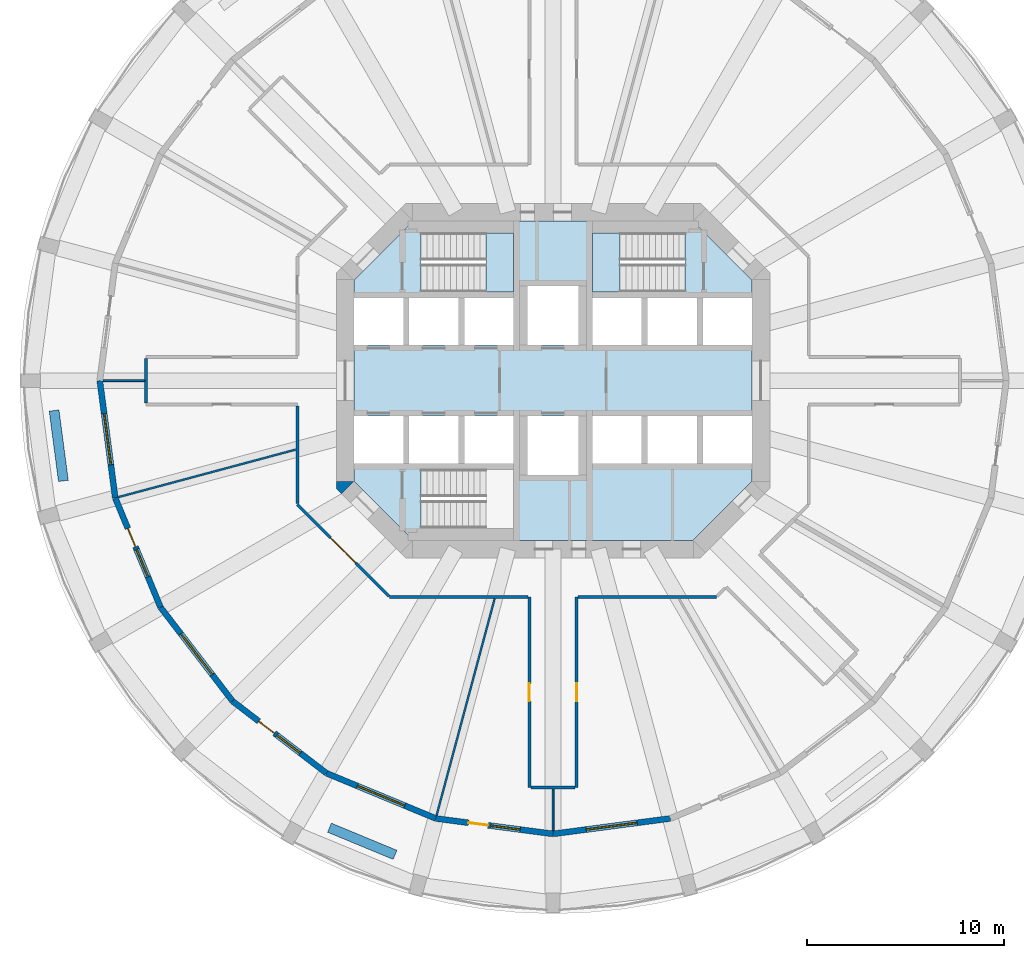
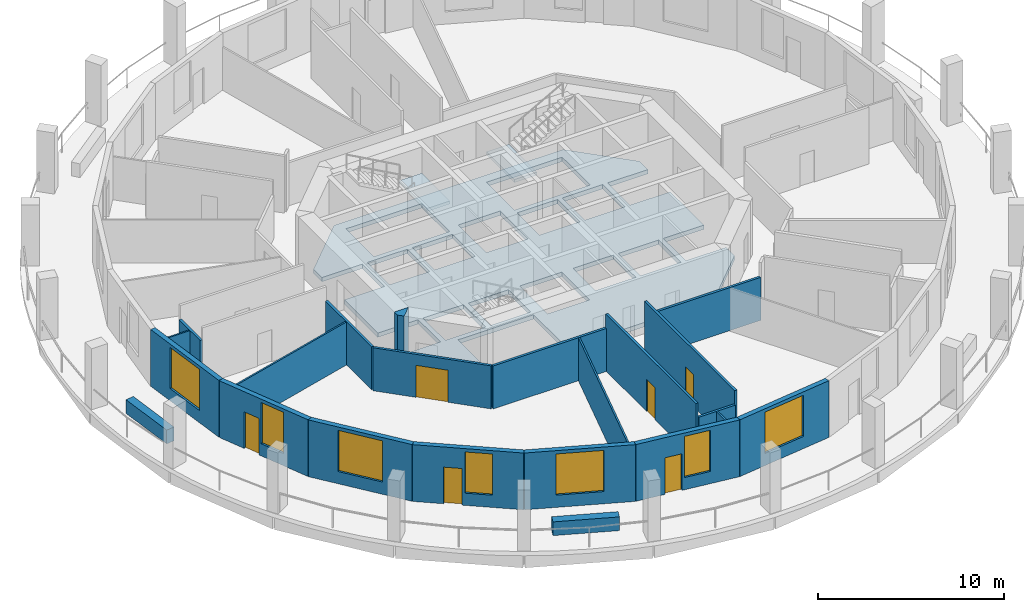
# One storey, part 2 of 9: 22 walls, 7 windows, 6 doors, 3 slabs, 13 openings, 2 elements without a shape of their own.
"""IFC4 building model written with IfcOpenShell, lengths in metres."""

from ifc_helpers import new_model, si_unit, direction, frame, frame_2d, origin, place, context, subcontext, project, spatial, polyline, rectangle, outline, extrude, material, layer, layer_set, type_object, element, fill, aggregate, save


model = new_model("IFC4")

# Units and contexts
model_context = context("Model", 3, precision=1e-05, world=origin(), true_north=direction((0.0, 1.0)))
body_context = subcontext(model_context, "Body", "Model", "MODEL_VIEW")
ifc_project = project(units=[si_unit("LENGTHUNIT", "METRE"), si_unit("AREAUNIT", "SQUARE_METRE"), si_unit("VOLUMEUNIT", "CUBIC_METRE"), si_unit("PLANEANGLEUNIT", "RADIAN"), si_unit("MASSUNIT", "GRAM", prefix="KILO")], contexts=[model_context])

# Site, building, storey
site_placement = place(None, origin())
site = spatial("IfcSite", under=ifc_project, at=site_placement, CompositionType="ELEMENT")
building_placement = place(site_placement, origin())
building = spatial("IfcBuilding", under=site, at=building_placement, Name="Torre Triforio", CompositionType="ELEMENT")
storey_placement = place(building_placement, frame((0.0, 0.0, 35.0)))
storey = spatial("IfcBuildingStorey", under=building, at=storey_placement, Name="L06", CompositionType="ELEMENT", Elevation=35.0)

# Slab
ifc_material_1 = material(Name="Concrete C60", Category="concrete")
ifc_layer_1 = layer(ifc_material_1, 0.280029296875)
ifc_layer_set_1 = layer_set([ifc_layer_1], Name="Concrete C60")
slab_type_1 = type_object("IfcSlabType", Name="Core floor slab 280 mm C60 REI 120", PredefinedType="FLOOR", material=ifc_layer_set_1)
slab_1_placement = place(storey_placement, frame((0.0, 0.0, -0.280029296875)))
element("IfcSlab", 1, at=slab_1_placement, inside=storey, type_object=slab_type_1, Name="Core floor slab", PredefinedType="FLOOR", context=body_context, shape_type="SweptSolid", body=[
    extrude(outline(polyline([(10.10009765625, -5.10009765625), (7.10009765625, -8.10009765625), (-7.10009765625, -8.10009765625), (-10.10009765625, -5.10009765625), (-10.10009765625, -4.199951171875), (-7.60009765625, -4.199951171875), (-7.60009765625, -1.800048828125), (-10.10009765625, -1.800048828125), (-10.10009765625, 1.800048828125), (-7.60009765625, 1.800048828125), (-7.60009765625, 4.199951171875), (-10.10009765625, 4.199951171875), (-10.10009765625, 5.10009765625), (-7.10009765625, 8.10009765625), (7.10009765625, 8.10009765625), (10.10009765625, 5.10009765625), (10.10009765625, 4.199951171875), (7.60009765625, 4.199951171875), (7.60009765625, 1.800048828125), (10.10009765625, 1.800048828125), (10.10009765625, -1.800048828125), (7.60009765625, -1.800048828125), (7.60009765625, -4.199951171875), (10.10009765625, -4.199951171875), (10.10009765625, -5.10009765625)]), holes=[polyline([(-2.0, -4.5), (-6.696044921875, -4.5), (-6.696044921875, -7.5), (-2.0, -7.5), (-2.0, -4.5)]), polyline([(-4.800048828125, -1.800048828125), (-7.300048828125, -1.800048828125), (-7.300048828125, -4.199951171875), (-4.800048828125, -4.199951171875), (-4.800048828125, -1.800048828125)]), polyline([(-2.0, -1.800048828125), (-4.5, -1.800048828125), (-4.5, -4.199951171875), (-2.0, -4.199951171875), (-2.0, -1.800048828125)]), polyline([(-4.800048828125, 4.199951171875), (-7.300048828125, 4.199951171875), (-7.300048828125, 1.800048828125), (-4.800048828125, 1.800048828125), (-4.800048828125, 4.199951171875)]), polyline([(-2.0, 4.199951171875), (-4.5, 4.199951171875), (-4.5, 1.800048828125), (-2.0, 1.800048828125), (-2.0, 4.199951171875)]), polyline([(1.300048828125, 4.800048828125), (-1.300048828125, 4.800048828125), (-1.300048828125, 1.800048828125), (1.300048828125, 1.800048828125), (1.300048828125, 4.800048828125)]), polyline([(-2.0, 7.5), (-6.696044921875, 7.5), (-6.696044921875, 4.5), (-2.0, 4.5), (-2.0, 7.5)]), polyline([(1.300048828125, -1.800048828125), (-1.300048828125, -1.800048828125), (-1.300048828125, -4.800048828125), (1.300048828125, -4.800048828125), (1.300048828125, -1.800048828125)]), polyline([(4.5, -1.800048828125), (2.0, -1.800048828125), (2.0, -4.199951171875), (4.5, -4.199951171875), (4.5, -1.800048828125)]), polyline([(7.300048828125, -1.800048828125), (4.800048828125, -1.800048828125), (4.800048828125, -4.199951171875), (7.300048828125, -4.199951171875), (7.300048828125, -1.800048828125)]), polyline([(4.5, 4.199951171875), (2.0, 4.199951171875), (2.0, 1.800048828125), (4.5, 1.800048828125), (4.5, 4.199951171875)]), polyline([(7.300048828125, 4.199951171875), (4.800048828125, 4.199951171875), (4.800048828125, 1.800048828125), (7.300048828125, 1.800048828125), (7.300048828125, 4.199951171875)]), polyline([(6.696044921875, 4.5), (6.696044921875, 7.5), (2.0, 7.5), (2.0, 4.5), (6.696044921875, 4.5)])]), origin(), (0.0, 0.0, 1.0), 0.280029296875),
])

# Stair, slab
ifc_material_2 = material(Name="Concrete C40", Category="concrete")
stair_type = type_object("IfcStairType", Name="STAIR HALF-TURN", PredefinedType="HALF_TURN_STAIR", material=ifc_material_2)
stair_1_placement = place(storey_placement, origin())
stair_1 = element("IfcStair", 2, at=stair_1_placement, inside=storey, type_object=stair_type, Name="Exit stair 1", PredefinedType="HALF_TURN_STAIR")
ifc_layer_2 = layer(ifc_material_2, 0.199951171875)
ifc_layer_set_2 = layer_set([ifc_layer_2], Name="Concrete C40")
slab_type_2 = type_object("IfcSlabType", Name="STAIR LANDING 200", PredefinedType="LANDING", material=ifc_layer_set_2)
slab_2_placement = place(storey_placement, frame((0.0, 0.0, 1.800048828125)))
slab_2 = element("IfcSlab", 3, at=slab_2_placement, type_object=slab_type_2, Name="ST1 landing 1", PredefinedType="LANDING", context=body_context, shape_type="SweptSolid", body=[
    extrude(outline(polyline([(-2.0, 4.5), (-2.0, 7.5), (-3.39990234375, 7.5), (-3.39990234375, 4.5), (-2.0, 4.5)])), origin(), (0.0, 0.0, 1.0), 0.199951171875),
])
aggregate(stair_1, [slab_2])

stair_2_placement = place(storey_placement, origin())
stair_2 = element("IfcStair", 4, at=stair_2_placement, inside=storey, type_object=stair_type, Name="Exit stair 2", PredefinedType="HALF_TURN_STAIR")
slab_3_placement = place(storey_placement, frame((0.0, 0.0, 1.800048828125)))
slab_3 = element("IfcSlab", 5, at=slab_3_placement, type_object=slab_type_2, Name="ST2 landing 1", PredefinedType="LANDING", context=body_context, shape_type="SweptSolid", body=[
    extrude(outline(polyline([(3.39990234375, 4.5), (3.39990234375, 7.5), (2.0, 7.5), (2.0, 4.5), (3.39990234375, 4.5)])), origin(), (0.0, 0.0, 1.0), 0.199951171875),
])
aggregate(stair_2, [slab_3])

# Walls
ifc_layer_3 = layer(ifc_material_1, 0.89990234375)
ifc_layer_set_3 = layer_set([ifc_layer_3], Name="Concrete C60")
wall_type_1 = type_object("IfcWallType", Name="Core wall 900 mm C60 EI 120", PredefinedType="SHEAR", material=ifc_layer_set_3)
wall_1_placement = place(storey_placement, frame((0.0, 0.0, -0.280029296875)))
element("IfcWall", 6, at=wall_1_placement, inside=storey, type_object=wall_type_1, Name="Core wall", PredefinedType="SHEAR", context=body_context, shape_type="SweptSolid", body=[
    extrude(outline(polyline([(-11.0, -5.472900390625), (-11.0, -5.1298828125), (-10.1298828125, -5.1298828125), (-10.736328125, -5.736328125), (-11.0, -5.472900390625)])), origin(), (0.0, 0.0, 1.0), 4.0),
])
ifc_material_3 = material(Name="Plasterboard on metal studs")
ifc_layer_4 = layer(ifc_material_3, 0.14990234375)
ifc_layer_set_4 = layer_set([ifc_layer_4], Name="Plasterboard on metal studs")
wall_type_2 = type_object("IfcWallType", Name="Corridor and tenancy wall 150 mm EI 60", PredefinedType="PARTITIONING", material=ifc_layer_set_4)
wall_2_placement = place(storey_placement, frame((8.291015625, -10.97509765625, 0.0), z_axis=(0.0, 0.0, 1.0), x_axis=(-1.0, 0.0, 0.0)))
element("IfcWall", 7, at=wall_2_placement, inside=storey, type_object=wall_type_2, Name="Partition 5", PredefinedType="PARTITIONING", context=body_context, shape_type="SweptSolid", body=[
    extrude(rectangle(XDim=7.01611328125, YDim=0.14990234375, at=frame_2d((3.508056640625, 0.0))), origin(), (0.0, 0.0, 1.0), 2.820068359375),
])

# Wall, opening, door
wall_3_placement = place(storey_placement, frame((1.199951171875, -10.97509765625, 0.0), z_axis=(0.0, 0.0, 1.0), x_axis=(0.0, -1.0, 0.0)))
wall_3 = element("IfcWall", 8, at=wall_3_placement, inside=storey, type_object=wall_type_2, Name="Partition 6", PredefinedType="PARTITIONING", context=body_context, shape_type="SweptSolid", body=[
    extrude(rectangle(XDim=9.673583984375, YDim=0.14990234375, at=frame_2d((4.8369140625, 0.0))), origin(), (0.0, 0.0, 1.0), 3.719970703125),
])
opening_1_placement = place(wall_3_placement, frame((4.386962890625, 0.0, 0.0)))
opening_1 = element("IfcOpeningElement", 9, at=opening_1_placement, cuts=wall_3, Name="Opening N1-11", PredefinedType="OPENING", context=body_context, shape_type="SweptSolid", body=[
    extrude(rectangle(XDim=0.89990234375, YDim=2.10009765625, at=frame_2d((0.449951171875, 1.050048828125))), frame((0.0, 0.0849609375, 0.0), z_axis=(0.0, -1.0, 0.0), x_axis=(1.0, 0.0, 0.0)), (0.0, 0.0, 1.0), 0.169921875),
])
ifc_material_4 = material(Name="Timber", Category="wood")
door_type_1 = type_object("IfcDoorType", Name="Door 900 x 2100 single leaf EI 30", OperationType="NOTDEFINED", PredefinedType="DOOR", material=ifc_material_4)
door_1_placement = place(opening_1_placement, origin())
door_1 = element("IfcDoor", 10, at=door_1_placement, inside=storey, type_object=door_type_1, Name="Door N1-11", OperationType="SINGLE_SWING_RIGHT", OverallHeight=2.10009765625, OverallWidth=0.89990234375, PredefinedType="DOOR", context=body_context, shape_type="SweptSolid", body=[
    extrude(rectangle(XDim=0.89990234375, YDim=2.10009765625, at=frame_2d((0.449951171875, 1.050048828125))), frame((0.0, 0.02490234375, 0.0), z_axis=(0.0, -1.0, 0.0), x_axis=(1.0, 0.0, 0.0)), (0.0, 0.0, 1.0), 0.050048828125),
])
fill(opening_1, door_1)

# Wall
wall_4_placement = place(storey_placement, frame((1.125, -20.648681640625, 0.0), z_axis=(0.0, 0.0, 1.0), x_axis=(-1.0, 0.0, 0.0)))
element("IfcWall", 11, at=wall_4_placement, inside=storey, type_object=wall_type_2, Name="Partition 7", PredefinedType="PARTITIONING", context=body_context, shape_type="SweptSolid", body=[
    extrude(rectangle(XDim=2.25, YDim=0.14990234375, at=frame_2d((1.125, 0.0))), origin(), (0.0, 0.0, 1.0), 2.820068359375),
])

# Wall, opening, door
wall_5_placement = place(storey_placement, frame((-1.199951171875, -20.648681640625, 0.0), z_axis=(0.0, 0.0, 1.0), x_axis=(0.0, 1.0, 0.0)))
wall_5 = element("IfcWall", 12, at=wall_5_placement, inside=storey, type_object=wall_type_2, Name="Partition 8", PredefinedType="PARTITIONING", context=body_context, shape_type="SweptSolid", body=[
    extrude(rectangle(XDim=9.673583984375, YDim=0.14990234375, at=frame_2d((4.8369140625, 0.0))), origin(), (0.0, 0.0, 1.0), 3.719970703125),
])
opening_2_placement = place(wall_5_placement, frame((4.386962890625, 0.0, 0.0)))
opening_2 = element("IfcOpeningElement", 13, at=opening_2_placement, cuts=wall_5, Name="Opening N1-10", PredefinedType="OPENING", context=body_context, shape_type="SweptSolid", body=[
    extrude(rectangle(XDim=0.89990234375, YDim=2.10009765625, at=frame_2d((0.449951171875, 1.050048828125))), frame((0.0, 0.0849609375, 0.0), z_axis=(0.0, -1.0, 0.0), x_axis=(1.0, 0.0, 0.0)), (0.0, 0.0, 1.0), 0.169921875),
])
door_2_placement = place(opening_2_placement, origin())
door_2 = element("IfcDoor", 14, at=door_2_placement, inside=storey, type_object=door_type_1, Name="Door N1-10", OperationType="SINGLE_SWING_RIGHT", OverallHeight=2.10009765625, OverallWidth=0.89990234375, PredefinedType="DOOR", context=body_context, shape_type="SweptSolid", body=[
    extrude(rectangle(XDim=0.89990234375, YDim=2.10009765625, at=frame_2d((0.449951171875, 1.050048828125))), frame((0.0, 0.02490234375, 0.0), z_axis=(0.0, -1.0, 0.0), x_axis=(1.0, 0.0, 0.0)), (0.0, 0.0, 1.0), 0.050048828125),
])
fill(opening_2, door_2)

# Wall
wall_6_placement = place(storey_placement, frame((-1.27490234375, -10.97509765625, 0.0), z_axis=(0.0, 0.0, 1.0), x_axis=(-1.0, 0.0, 0.0)))
element("IfcWall", 15, at=wall_6_placement, inside=storey, type_object=wall_type_2, Name="Partition 9", PredefinedType="PARTITIONING", context=body_context, shape_type="SweptSolid", body=[
    extrude(rectangle(XDim=7.01611328125, YDim=0.14990234375, at=frame_2d((3.508056640625, 0.0))), origin(), (0.0, 0.0, 1.0), 2.820068359375),
])

# Wall, opening, door
wall_7_placement = place(storey_placement, frame((-8.327880859375, -10.93798828125, 0.0), z_axis=(0.0, 0.0, 1.0), x_axis=(-0.707125355289, 0.707088206597, 0.0)))
wall_7 = element("IfcWall", 16, at=wall_7_placement, inside=storey, type_object=wall_type_2, Name="Partition 10", PredefinedType="PARTITIONING", context=body_context, shape_type="SweptSolid", body=[
    extrude(rectangle(XDim=6.572021484375, YDim=0.14990234375, at=frame_2d((3.2861328125, 0.0))), origin(), (0.0, 0.0, 1.0), 2.820068359375),
])
opening_3_placement = place(wall_7_placement, frame((2.385986328125, 0.0, 0.0)))
opening_3 = element("IfcOpeningElement", 17, at=opening_3_placement, cuts=wall_7, Name="Opening N1-09", PredefinedType="OPENING", context=body_context, shape_type="SweptSolid", body=[
    extrude(rectangle(XDim=1.800048828125, YDim=2.10009765625, at=frame_2d((0.89990234375, 1.050048828125))), frame((0.0, 0.0849609375, 0.0), z_axis=(0.0, -1.0, 0.0), x_axis=(1.0, 0.0, 0.0)), (0.0, 0.0, 1.0), 0.169921875),
])
door_type_2 = type_object("IfcDoorType", Name="Door 1800 x 2100 double leaf EI 30", OperationType="DOUBLE_DOOR_SINGLE_SWING", PredefinedType="DOOR", material=ifc_material_4)
door_3_placement = place(opening_3_placement, origin())
door_3 = element("IfcDoor", 18, at=door_3_placement, inside=storey, type_object=door_type_2, Name="Door N1-09", OperationType="DOUBLE_DOOR_SINGLE_SWING", OverallHeight=2.10009765625, OverallWidth=1.800048828125, PredefinedType="DOOR", context=body_context, shape_type="SweptSolid", body=[
    extrude(rectangle(XDim=1.800048828125, YDim=2.10009765625, at=frame_2d((0.89990234375, 1.050048828125))), frame((0.0, 0.02490234375, 0.0), z_axis=(0.0, -1.0, 0.0), x_axis=(1.0, 0.0, 0.0)), (0.0, 0.0, 1.0), 0.050048828125),
])
fill(opening_3, door_3)

# Walls
wall_8_placement = place(storey_placement, frame((-12.97509765625, -6.23828125, 0.0), z_axis=(0.0, 0.0, 1.0), x_axis=(0.0, 1.0, 0.0)))
element("IfcWall", 19, at=wall_8_placement, inside=storey, type_object=wall_type_2, Name="Partition 11", PredefinedType="PARTITIONING", context=body_context, shape_type="SweptSolid", body=[
    extrude(rectangle(XDim=4.96337890625, YDim=0.14990234375, at=frame_2d((2.481689453125, 0.0))), origin(), (0.0, 0.0, 1.0), 2.820068359375),
])
wall_9_placement = place(storey_placement, frame((-20.648681640625, -1.125, 0.0), z_axis=(0.0, 0.0, 1.0), x_axis=(0.0, 1.0, 0.0)))
element("IfcWall", 20, at=wall_9_placement, inside=storey, type_object=wall_type_2, Name="Partition 13", PredefinedType="PARTITIONING", context=body_context, shape_type="SweptSolid", body=[
    extrude(rectangle(XDim=2.25, YDim=0.14990234375, at=frame_2d((1.125, 0.0))), origin(), (0.0, 0.0, 1.0), 2.820068359375),
])
ifc_layer_5 = layer(ifc_material_3, 0.10009765625)
ifc_layer_set_5 = layer_set([ifc_layer_5], Name="Plasterboard on metal studs")
wall_type_3 = type_object("IfcWallType", Name="Partition 100 mm board on metal studs", PredefinedType="PARTITIONING", material=ifc_layer_set_5)
wall_10_placement = place(storey_placement, frame((-20.7236328125, 0.0, 0.0), z_axis=(0.0, 0.0, 1.0), x_axis=(-1.0, 0.0, 0.0)))
element("IfcWall", 21, at=wall_10_placement, inside=storey, type_object=wall_type_3, Name="Partition 42", PredefinedType="PARTITIONING", context=body_context, shape_type="SweptSolid", body=[
    extrude(rectangle(XDim=2.113037109375, YDim=0.10009765625, at=frame_2d((1.056640625, 0.0))), origin(), (0.0, 0.0, 1.0), 2.820068359375),
])
wall_11_placement = place(storey_placement, frame((-13.064208984375, -3.50048828125, 0.0), z_axis=(0.0, 0.0, 1.0), x_axis=(-0.965922655056, -0.258830880017, 0.0)))
element("IfcWall", 22, at=wall_11_placement, inside=storey, type_object=wall_type_3, Name="Partition 43", PredefinedType="PARTITIONING", context=body_context, shape_type="SweptSolid", body=[
    extrude(rectangle(XDim=9.311767578125, YDim=0.10009765625, at=frame_2d((4.65576171875, 0.0))), origin(), (0.0, 0.0, 1.0), 2.820068359375),
])
wall_12_placement = place(storey_placement, frame((-2.964599609375, -11.064208984375, 0.0), z_axis=(0.0, 0.0, 1.0), x_axis=(-0.258827930947, -0.965923445291, 0.0)))
element("IfcWall", 23, at=wall_12_placement, inside=storey, type_object=wall_type_3, Name="Partition 44", PredefinedType="PARTITIONING", context=body_context, shape_type="SweptSolid", body=[
    extrude(rectangle(XDim=11.38232421875, YDim=0.10009765625, at=frame_2d((5.691162109375, 0.0))), origin(), (0.0, 0.0, 1.0), 2.820068359375),
])
wall_13_placement = place(storey_placement, frame((0.0, -20.7236328125, 0.0), z_axis=(0.0, 0.0, 1.0), x_axis=(0.0, -1.0, 0.0)))
element("IfcWall", 24, at=wall_13_placement, inside=storey, type_object=wall_type_3, Name="Partition 45", PredefinedType="PARTITIONING", context=body_context, shape_type="SweptSolid", body=[
    extrude(rectangle(XDim=2.113037109375, YDim=0.10009765625, at=frame_2d((1.056640625, 0.0))), origin(), (0.0, 0.0, 1.0), 2.820068359375),
])
ifc_material_5 = material(Name="Limestone cladding", Category="masonry")
ifc_layer_6 = layer(ifc_material_5, 0.10009765625)
ifc_layer_7 = layer(ifc_material_2, 0.39990234375)
ifc_layer_set_6 = layer_set([ifc_layer_6, ifc_layer_7], Name="Limestone cladding / Concrete C40")
wall_type_4 = type_object("IfcWallType", Name="Planter wall 500", PredefinedType="PARAPET", material=ifc_layer_set_6)
for number, where, z_axis, x_axis, name in (
    (25, (-25.318603515625, -1.517578125, 0.0), (0.0, 0.0, 1.0), (0.130542222659, -0.991442750795, 0.0), "Planter L06 bay 13"),
    (26, (-11.344970703125, -22.685302734375, 0.0), (0.0, 0.0, 1.0), (0.923885420167, -0.382669217998, 0.0), "Planter L06 bay 17"),
):
    element("IfcWall", number, at=place(storey_placement, frame(where, z_axis=z_axis, x_axis=x_axis)), inside=storey, type_object=wall_type_4, Name=name, PredefinedType="PARAPET", context=body_context, shape_type="SweptSolid", body=[
        extrude(rectangle(XDim=3.60009765625, YDim=0.5, at=frame_2d((1.800048828125, 0.0))), origin(), (0.0, 0.0, 1.0), 0.89990234375),
    ])

# Wall, opening, window
ifc_layer_8 = layer(ifc_material_5, 0.10009765625)
ifc_layer_9 = layer(ifc_material_2, 0.199951171875)
ifc_layer_set_7 = layer_set([ifc_layer_8, ifc_layer_9], Name="Limestone cladding / Concrete C40")
wall_type_5 = type_object("IfcWallType", Name="Stone-faced composite wall 300", PredefinedType="STANDARD", material=ifc_layer_set_7)
wall_14_placement = place(storey_placement, frame((-23.0, 0.0, 0.0), z_axis=(0.0, 0.0, 1.0), x_axis=(0.130522880875, -0.991445297315, 0.0)))
wall_14 = element("IfcWall", 27, at=wall_14_placement, inside=storey, type_object=wall_type_5, Name="External wall L06 bay 13", PredefinedType="STANDARD", context=body_context, shape_type="SweptSolid", body=[
    extrude(rectangle(XDim=6.004150390625, YDim=0.300048828125, at=frame_2d((3.001953125, 0.0))), origin(), (0.0, 0.0, 1.0), 3.719970703125),
])
opening_4_placement = place(wall_14_placement, frame((1.7021484375, 0.0, 0.800048828125)))
opening_4 = element("IfcOpeningElement", 28, at=opening_4_placement, cuts=wall_14, Name="Opening N1-W13", PredefinedType="OPENING", context=body_context, shape_type="SweptSolid", body=[
    extrude(rectangle(XDim=2.60009765625, YDim=2.699951171875, at=frame_2d((1.300048828125, 1.35009765625))), frame((0.0, 0.159912109375, 0.0), z_axis=(0.0, -1.0, 0.0), x_axis=(1.0, 0.0, 0.0)), (0.0, 0.0, 1.0), 0.320068359375),
])
ifc_material_6 = material(Name="Aluminium frame with clear double glazing", Category="aluminium")
window_type_1 = type_object("IfcWindowType", Name="Punched window 2600 x 2700", PartitioningType="DOUBLE_PANEL_VERTICAL", PredefinedType="WINDOW", material=ifc_material_6)
window_1_placement = place(opening_4_placement, origin())
window_1 = element("IfcWindow", 29, at=window_1_placement, inside=storey, type_object=window_type_1, Name="Window EWN2 L06 bay 13", OverallHeight=2.699951171875, OverallWidth=2.60009765625, PartitioningType="SINGLE_PANEL", PredefinedType="WINDOW", context=body_context, shape_type="SweptSolid", body=[
    extrude(rectangle(XDim=2.60009765625, YDim=2.699951171875, at=frame_2d((1.300048828125, 1.35009765625))), frame((0.0, 0.030029296875, 0.0), z_axis=(0.0, -1.0, 0.0), x_axis=(1.0, 0.0, 0.0)), (0.0, 0.0, 1.0), 0.06005859375),
])
fill(opening_4, window_1)

# Wall, openings, door, window
wall_15_placement = place(storey_placement, frame((-22.21630859375, -5.952880859375, 0.0), z_axis=(0.0, 0.0, 1.0), x_axis=(0.382671411433, -0.923884511653, 0.0)))
wall_15 = element("IfcWall", 30, at=wall_15_placement, inside=storey, type_object=wall_type_5, Name="External wall L06 bay 14", PredefinedType="STANDARD", context=body_context, shape_type="SweptSolid", body=[
    extrude(rectangle(XDim=6.004150390625, YDim=0.300048828125, at=frame_2d((3.001953125, 0.0))), origin(), (0.0, 0.0, 1.0), 3.719970703125),
])
opening_5_placement = place(wall_15_placement, frame((1.677001953125, 0.0, 0.0)))
opening_5 = element("IfcOpeningElement", 31, at=opening_5_placement, cuts=wall_15, Name="Opening N1-D14", PredefinedType="OPENING", context=body_context, shape_type="SweptSolid", body=[
    extrude(rectangle(XDim=1.0, YDim=2.39990234375, at=frame_2d((0.5, 1.199951171875))), frame((0.0, 0.159912109375, 0.0), z_axis=(0.0, -1.0, 0.0), x_axis=(1.0, 0.0, 0.0)), (0.0, 0.0, 1.0), 0.320068359375),
])
opening_6_placement = place(wall_15_placement, frame((2.8271484375, 0.0, 0.800048828125)))
opening_6 = element("IfcOpeningElement", 32, at=opening_6_placement, cuts=wall_15, Name="Opening N1-W14A", PredefinedType="OPENING", context=body_context, shape_type="SweptSolid", body=[
    extrude(rectangle(XDim=1.5, YDim=2.699951171875, at=frame_2d((0.75, 1.35009765625))), frame((0.0, 0.159912109375, 0.0), z_axis=(0.0, -1.0, 0.0), x_axis=(1.0, 0.0, 0.0)), (0.0, 0.0, 1.0), 0.320068359375),
])
door_type_3 = type_object("IfcDoorType", Name="Loggia door 1000 x 2400", OperationType="NOTDEFINED", PredefinedType="DOOR", material=ifc_material_6)
door_4_placement = place(opening_5_placement, origin())
door_4 = element("IfcDoor", 33, at=door_4_placement, inside=storey, type_object=door_type_3, Name="Loggia door L06 bay 14", OperationType="SINGLE_SWING_LEFT", OverallHeight=2.39990234375, OverallWidth=1.0, PredefinedType="DOOR", context=body_context, shape_type="SweptSolid", body=[
    extrude(rectangle(XDim=1.0, YDim=2.39990234375, at=frame_2d((0.5, 1.199951171875))), frame((0.0, 0.02490234375, 0.0), z_axis=(0.0, -1.0, 0.0), x_axis=(1.0, 0.0, 0.0)), (0.0, 0.0, 1.0), 0.050048828125),
])
fill(opening_5, door_4)
window_type_2 = type_object("IfcWindowType", Name="Side window 1500 x 2700", PartitioningType="SINGLE_PANEL", PredefinedType="WINDOW", material=ifc_material_6)
window_2_placement = place(opening_6_placement, origin())
window_2 = element("IfcWindow", 34, at=window_2_placement, inside=storey, type_object=window_type_2, Name="Side window EWN12 L06 bay 14", OverallHeight=2.699951171875, OverallWidth=1.5, PartitioningType="SINGLE_PANEL", PredefinedType="WINDOW", context=body_context, shape_type="SweptSolid", body=[
    extrude(rectangle(XDim=1.5, YDim=2.699951171875, at=frame_2d((0.75, 1.35009765625))), frame((0.0, 0.030029296875, 0.0), z_axis=(0.0, -1.0, 0.0), x_axis=(1.0, 0.0, 0.0)), (0.0, 0.0, 1.0), 0.06005859375),
])
fill(opening_6, window_2)

# Wall, opening, window
wall_16_placement = place(storey_placement, frame((-19.918701171875, -11.5, 0.0), z_axis=(0.0, 0.0, 1.0), x_axis=(0.608778912074, -0.793339924758, 0.0)))
wall_16 = element("IfcWall", 35, at=wall_16_placement, inside=storey, type_object=wall_type_5, Name="External wall L06 bay 15", PredefinedType="STANDARD", context=body_context, shape_type="SweptSolid", body=[
    extrude(rectangle(XDim=6.004150390625, YDim=0.300048828125, at=frame_2d((3.001953125, 0.0))), origin(), (0.0, 0.0, 1.0), 3.719970703125),
])
opening_7_placement = place(wall_16_placement, frame((1.7021484375, 0.0, 0.800048828125)))
opening_7 = element("IfcOpeningElement", 36, at=opening_7_placement, cuts=wall_16, Name="Opening N1-W15", PredefinedType="OPENING", context=body_context, shape_type="SweptSolid", body=[
    extrude(rectangle(XDim=2.60009765625, YDim=2.699951171875, at=frame_2d((1.300048828125, 1.35009765625))), frame((0.0, 0.159912109375, 0.0), z_axis=(0.0, -1.0, 0.0), x_axis=(1.0, 0.0, 0.0)), (0.0, 0.0, 1.0), 0.320068359375),
])
window_3_placement = place(opening_7_placement, origin())
window_3 = element("IfcWindow", 37, at=window_3_placement, inside=storey, type_object=window_type_1, Name="Window EWN2 L06 bay 15", OverallHeight=2.699951171875, OverallWidth=2.60009765625, PartitioningType="SINGLE_PANEL", PredefinedType="WINDOW", context=body_context, shape_type="SweptSolid", body=[
    extrude(rectangle(XDim=2.60009765625, YDim=2.699951171875, at=frame_2d((1.300048828125, 1.35009765625))), frame((0.0, 0.030029296875, 0.0), z_axis=(0.0, -1.0, 0.0), x_axis=(1.0, 0.0, 0.0)), (0.0, 0.0, 1.0), 0.06005859375),
])
fill(opening_7, window_3)

# Wall, openings, door, window
wall_17_placement = place(storey_placement, frame((-16.263427734375, -16.263427734375, 0.0), z_axis=(0.0, 0.0, 1.0), x_axis=(0.793339924758, -0.608778912074, 0.0)))
wall_17 = element("IfcWall", 38, at=wall_17_placement, inside=storey, type_object=wall_type_5, Name="External wall L06 bay 16", PredefinedType="STANDARD", context=body_context, shape_type="SweptSolid", body=[
    extrude(rectangle(XDim=6.004150390625, YDim=0.300048828125, at=frame_2d((3.001953125, 0.0))), origin(), (0.0, 0.0, 1.0), 3.719970703125),
])
opening_8_placement = place(wall_17_placement, frame((1.677001953125, 0.0, 0.0)))
opening_8 = element("IfcOpeningElement", 39, at=opening_8_placement, cuts=wall_17, Name="Opening N1-D16", PredefinedType="OPENING", context=body_context, shape_type="SweptSolid", body=[
    extrude(rectangle(XDim=1.0, YDim=2.39990234375, at=frame_2d((0.5, 1.199951171875))), frame((0.0, 0.159912109375, 0.0), z_axis=(0.0, -1.0, 0.0), x_axis=(1.0, 0.0, 0.0)), (0.0, 0.0, 1.0), 0.320068359375),
])
opening_9_placement = place(wall_17_placement, frame((2.8271484375, 0.0, 0.800048828125)))
opening_9 = element("IfcOpeningElement", 40, at=opening_9_placement, cuts=wall_17, Name="Opening N1-W16A", PredefinedType="OPENING", context=body_context, shape_type="SweptSolid", body=[
    extrude(rectangle(XDim=1.5, YDim=2.699951171875, at=frame_2d((0.75, 1.35009765625))), frame((0.0, 0.159912109375, 0.0), z_axis=(0.0, -1.0, 0.0), x_axis=(1.0, 0.0, 0.0)), (0.0, 0.0, 1.0), 0.320068359375),
])
door_5_placement = place(opening_8_placement, origin())
door_5 = element("IfcDoor", 41, at=door_5_placement, inside=storey, type_object=door_type_3, Name="Loggia door L06 bay 16", OperationType="SINGLE_SWING_LEFT", OverallHeight=2.39990234375, OverallWidth=1.0, PredefinedType="DOOR", context=body_context, shape_type="SweptSolid", body=[
    extrude(rectangle(XDim=1.0, YDim=2.39990234375, at=frame_2d((0.5, 1.199951171875))), frame((0.0, 0.02490234375, 0.0), z_axis=(0.0, -1.0, 0.0), x_axis=(1.0, 0.0, 0.0)), (0.0, 0.0, 1.0), 0.050048828125),
])
fill(opening_8, door_5)
window_4_placement = place(opening_9_placement, origin())
window_4 = element("IfcWindow", 42, at=window_4_placement, inside=storey, type_object=window_type_2, Name="Side window EWN12 L06 bay 16", OverallHeight=2.699951171875, OverallWidth=1.5, PartitioningType="SINGLE_PANEL", PredefinedType="WINDOW", context=body_context, shape_type="SweptSolid", body=[
    extrude(rectangle(XDim=1.5, YDim=2.699951171875, at=frame_2d((0.75, 1.35009765625))), frame((0.0, 0.030029296875, 0.0), z_axis=(0.0, -1.0, 0.0), x_axis=(1.0, 0.0, 0.0)), (0.0, 0.0, 1.0), 0.06005859375),
])
fill(opening_9, window_4)

# Wall, opening, window
wall_18_placement = place(storey_placement, frame((-11.5, -19.918701171875, 0.0), z_axis=(0.0, 0.0, 1.0), x_axis=(0.923884511653, -0.382671411433, 0.0)))
wall_18 = element("IfcWall", 43, at=wall_18_placement, inside=storey, type_object=wall_type_5, Name="External wall L06 bay 17", PredefinedType="STANDARD", context=body_context, shape_type="SweptSolid", body=[
    extrude(rectangle(XDim=6.004150390625, YDim=0.300048828125, at=frame_2d((3.001953125, 0.0))), origin(), (0.0, 0.0, 1.0), 3.719970703125),
])
opening_10_placement = place(wall_18_placement, frame((1.7021484375, 0.0, 0.800048828125)))
opening_10 = element("IfcOpeningElement", 44, at=opening_10_placement, cuts=wall_18, Name="Opening N1-W17", PredefinedType="OPENING", context=body_context, shape_type="SweptSolid", body=[
    extrude(rectangle(XDim=2.60009765625, YDim=2.699951171875, at=frame_2d((1.300048828125, 1.35009765625))), frame((0.0, 0.159912109375, 0.0), z_axis=(0.0, -1.0, 0.0), x_axis=(1.0, 0.0, 0.0)), (0.0, 0.0, 1.0), 0.320068359375),
])
window_5_placement = place(opening_10_placement, origin())
window_5 = element("IfcWindow", 45, at=window_5_placement, inside=storey, type_object=window_type_1, Name="Window EWN2 L06 bay 17", OverallHeight=2.699951171875, OverallWidth=2.60009765625, PartitioningType="SINGLE_PANEL", PredefinedType="WINDOW", context=body_context, shape_type="SweptSolid", body=[
    extrude(rectangle(XDim=2.60009765625, YDim=2.699951171875, at=frame_2d((1.300048828125, 1.35009765625))), frame((0.0, 0.030029296875, 0.0), z_axis=(0.0, -1.0, 0.0), x_axis=(1.0, 0.0, 0.0)), (0.0, 0.0, 1.0), 0.06005859375),
])
fill(opening_10, window_5)

# Wall, openings, door, window
wall_19_placement = place(storey_placement, frame((-5.952880859375, -22.21630859375, 0.0), z_axis=(0.0, 0.0, 1.0), x_axis=(0.991445297315, -0.130522880875, 0.0)))
wall_19 = element("IfcWall", 46, at=wall_19_placement, inside=storey, type_object=wall_type_5, Name="External wall L06 bay 18", PredefinedType="STANDARD", context=body_context, shape_type="SweptSolid", body=[
    extrude(rectangle(XDim=6.004150390625, YDim=0.300048828125, at=frame_2d((3.001953125, 0.0))), origin(), (0.0, 0.0, 1.0), 3.719970703125),
])
opening_11_placement = place(wall_19_placement, frame((1.677001953125, 0.0, 0.0)))
opening_11 = element("IfcOpeningElement", 47, at=opening_11_placement, cuts=wall_19, Name="Opening N1-D18", PredefinedType="OPENING", context=body_context, shape_type="SweptSolid", body=[
    extrude(rectangle(XDim=1.0, YDim=2.39990234375, at=frame_2d((0.5, 1.199951171875))), frame((0.0, 0.159912109375, 0.0), z_axis=(0.0, -1.0, 0.0), x_axis=(1.0, 0.0, 0.0)), (0.0, 0.0, 1.0), 0.320068359375),
])
opening_12_placement = place(wall_19_placement, frame((2.8271484375, 0.0, 0.800048828125)))
opening_12 = element("IfcOpeningElement", 48, at=opening_12_placement, cuts=wall_19, Name="Opening N1-W18A", PredefinedType="OPENING", context=body_context, shape_type="SweptSolid", body=[
    extrude(rectangle(XDim=1.5, YDim=2.699951171875, at=frame_2d((0.75, 1.35009765625))), frame((0.0, 0.159912109375, 0.0), z_axis=(0.0, -1.0, 0.0), x_axis=(1.0, 0.0, 0.0)), (0.0, 0.0, 1.0), 0.320068359375),
])
door_6_placement = place(opening_11_placement, origin())
door_6 = element("IfcDoor", 49, at=door_6_placement, inside=storey, type_object=door_type_3, Name="Loggia door L06 bay 18", OperationType="SINGLE_SWING_RIGHT", OverallHeight=2.39990234375, OverallWidth=1.0, PredefinedType="DOOR", context=body_context, shape_type="SweptSolid", body=[
    extrude(rectangle(XDim=1.0, YDim=2.39990234375, at=frame_2d((0.5, 1.199951171875))), frame((0.0, 0.02490234375, 0.0), z_axis=(0.0, -1.0, 0.0), x_axis=(1.0, 0.0, 0.0)), (0.0, 0.0, 1.0), 0.050048828125),
])
fill(opening_11, door_6)
window_6_placement = place(opening_12_placement, origin())
window_6 = element("IfcWindow", 50, at=window_6_placement, inside=storey, type_object=window_type_2, Name="Side window EWN12 L06 bay 18", OverallHeight=2.699951171875, OverallWidth=1.5, PartitioningType="SINGLE_PANEL", PredefinedType="WINDOW", context=body_context, shape_type="SweptSolid", body=[
    extrude(rectangle(XDim=1.5, YDim=2.699951171875, at=frame_2d((0.75, 1.35009765625))), frame((0.0, 0.030029296875, 0.0), z_axis=(0.0, -1.0, 0.0), x_axis=(1.0, 0.0, 0.0)), (0.0, 0.0, 1.0), 0.06005859375),
])
fill(opening_12, window_6)

# Wall, opening, window
wall_20_placement = place(storey_placement, frame((0.0, -23.0, 0.0), z_axis=(0.0, 0.0, 1.0), x_axis=(0.991445297315, 0.130522880875, 0.0)))
wall_20 = element("IfcWall", 51, at=wall_20_placement, inside=storey, type_object=wall_type_5, Name="External wall L06 bay 19", PredefinedType="STANDARD", context=body_context, shape_type="SweptSolid", body=[
    extrude(rectangle(XDim=6.004150390625, YDim=0.300048828125, at=frame_2d((3.001953125, 0.0))), origin(), (0.0, 0.0, 1.0), 3.719970703125),
])
opening_13_placement = place(wall_20_placement, frame((1.7021484375, 0.0, 0.800048828125)))
opening_13 = element("IfcOpeningElement", 52, at=opening_13_placement, cuts=wall_20, Name="Opening N1-W19", PredefinedType="OPENING", context=body_context, shape_type="SweptSolid", body=[
    extrude(rectangle(XDim=2.60009765625, YDim=2.699951171875, at=frame_2d((1.300048828125, 1.35009765625))), frame((0.0, 0.159912109375, 0.0), z_axis=(0.0, -1.0, 0.0), x_axis=(1.0, 0.0, 0.0)), (0.0, 0.0, 1.0), 0.320068359375),
])
window_7_placement = place(opening_13_placement, origin())
window_7 = element("IfcWindow", 53, at=window_7_placement, inside=storey, type_object=window_type_1, Name="Window EWN2 L06 bay 19", OverallHeight=2.699951171875, OverallWidth=2.60009765625, PartitioningType="SINGLE_PANEL", PredefinedType="WINDOW", context=body_context, shape_type="SweptSolid", body=[
    extrude(rectangle(XDim=2.60009765625, YDim=2.699951171875, at=frame_2d((1.300048828125, 1.35009765625))), frame((0.0, 0.030029296875, 0.0), z_axis=(0.0, -1.0, 0.0), x_axis=(1.0, 0.0, 0.0)), (0.0, 0.0, 1.0), 0.06005859375),
])
fill(opening_13, window_7)

save(model, "model.ifc")
